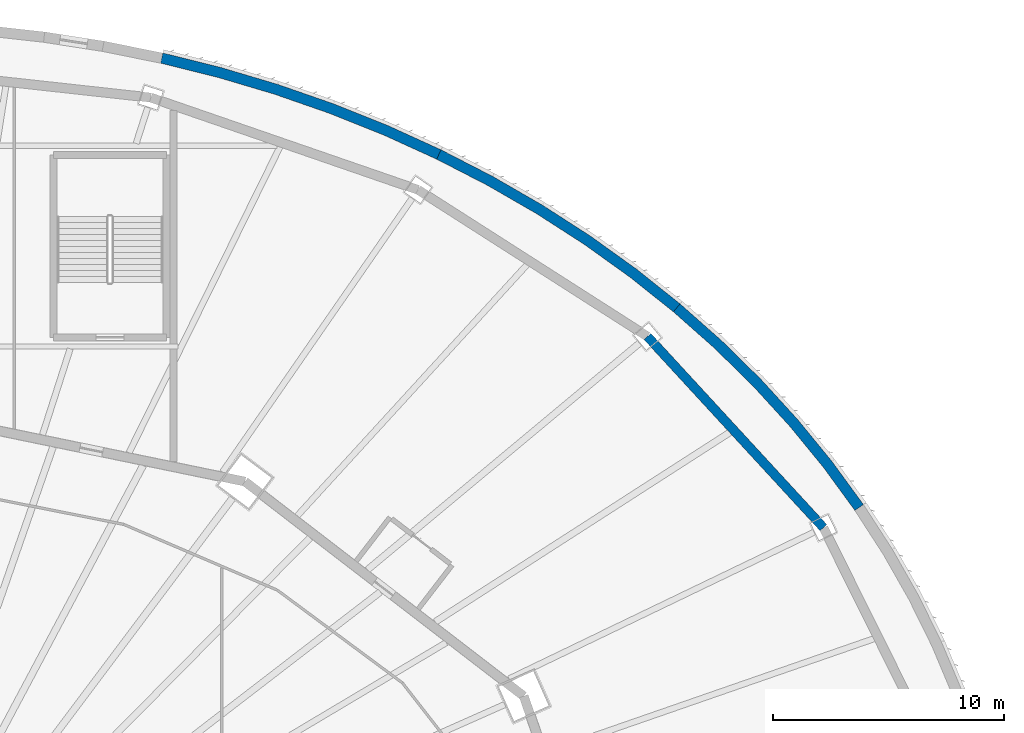
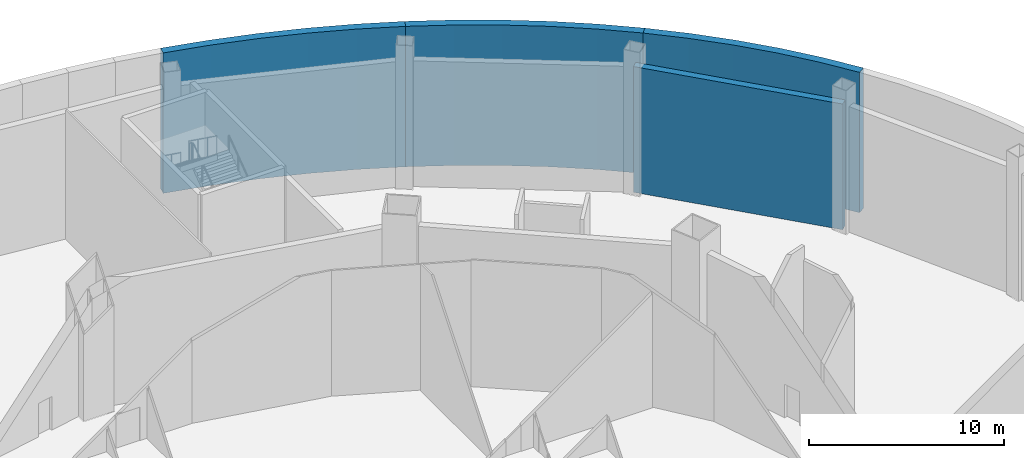
# One storey, part 14 of 35: 4 walls.
"""IFC4 building model written with IfcOpenShell, lengths in metres."""

from ifc_helpers import new_model, si_unit, direction, frame, frame_2d, origin, place, context, subcontext, project, spatial, polyline, rectangle, outline, extrude, material, layer, layer_set, type_object, element, save


model = new_model("IFC4")

# Units and contexts
model_context = context("Model", 3, precision=1e-05, world=origin(), true_north=direction((0.0, 1.0)))
body_context = subcontext(model_context, "Body", "Model", "MODEL_VIEW")
ifc_project = project(units=[si_unit("LENGTHUNIT", "METRE"), si_unit("AREAUNIT", "SQUARE_METRE"), si_unit("VOLUMEUNIT", "CUBIC_METRE"), si_unit("PLANEANGLEUNIT", "RADIAN"), si_unit("MASSUNIT", "GRAM", prefix="KILO")], contexts=[model_context])

# Site, building, storey
site_placement = place(None, origin())
site = spatial("IfcSite", under=ifc_project, at=site_placement, CompositionType="ELEMENT")
building_placement = place(site_placement, origin())
building = spatial("IfcBuilding", under=site, at=building_placement, Name="Sahrelin Media Tower", CompositionType="ELEMENT")
storey_placement = place(building_placement, frame((0.0, 0.0, 17.0)))
storey = spatial("IfcBuildingStorey", under=building, at=storey_placement, Name="L02", CompositionType="ELEMENT", Elevation=17.0)

# Walls
ifc_material_1 = material(Name="Fire-rated gypsum board partition")
ifc_layer_1 = layer(ifc_material_1, 0.39990234375)
ifc_layer_set_1 = layer_set([ifc_layer_1], Name="Fire-rated partition 400")
wall_type_1 = type_object("IfcWallType", Name="Fire-rated partition 400", PredefinedType="PARTITIONING", material=ifc_layer_set_1)
wall_1_placement = place(storey_placement, frame((41.569091796875, 20.0, 0.0), z_axis=(0.0, 0.0, 1.0), x_axis=(-0.67736833065, 0.735644033914, 0.0)))
element("IfcWall", 1, at=wall_1_placement, inside=storey, type_object=wall_type_1, Name="Wall", PredefinedType="PARTITIONING", context=body_context, shape_type="SweptSolid", body=[
    extrude(rectangle(XDim=11.26123046875, YDim=0.39990234375, at=frame_2d((5.630615234375, 0.0))), origin(), (0.0, 0.0, 1.0), 7.876953125),
])
ifc_material_2 = material(Name="Concrete C40/50", Category="concrete")
ifc_layer_2 = layer(ifc_material_2, 0.449951171875)
ifc_layer_set_2 = layer_set([ifc_layer_2], Name="Studio facade wall")
wall_type_2 = type_object("IfcWallType", Name="Studio facade wall", PredefinedType="SOLIDWALL", material=ifc_layer_set_2)
placement = place(storey_placement, origin())
element("IfcWall", 2, at=placement, inside=storey, type_object=wall_type_2, Name="Studio facade wall L02-P02", PredefinedType="SOLIDWALL", context=body_context, shape_type="SweptSolid", body=[
    extrude(outline(polyline([(43.30126953125, 21.0), (41.93359375, 22.874755859375), (40.45068359375, 24.68701171875), (38.857421875, 26.431396484375), (37.1572265625, 28.103515625), (35.355224609375, 29.698486328125), (35.06591796875, 29.35400390625), (36.85009765625, 27.7744140625), (38.533203125, 26.119140625), (40.1103515625, 24.392578125), (41.577392578125, 22.599609375), (42.930419921875, 20.7451171875), (43.30126953125, 21.0)])), origin(), (0.0, 0.0, 1.0), 8.800048828125),
])
element("IfcWall", 3, at=placement, inside=storey, type_object=wall_type_2, Name="Studio facade wall L02-P03", PredefinedType="SOLIDWALL", context=body_context, shape_type="SweptSolid", body=[
    extrude(outline(polyline([(35.355224609375, 29.698486328125), (33.45654296875, 31.212158203125), (31.466064453125, 32.64013671875), (29.389404296875, 33.978759765625), (27.23193359375, 35.22412109375), (25.0, 36.373046875), (24.8037109375, 35.96826171875), (27.0166015625, 34.8291015625), (29.15478515625, 33.594482421875), (31.212890625, 32.26806640625), (33.18505859375, 30.853271484375), (35.06591796875, 29.35400390625), (35.355224609375, 29.698486328125)])), origin(), (0.0, 0.0, 1.0), 8.800048828125),
])
element("IfcWall", 4, at=placement, inside=storey, type_object=wall_type_2, Name="Studio facade wall L02-P04", PredefinedType="SOLIDWALL", context=body_context, shape_type="SweptSolid", body=[
    extrude(outline(polyline([(25.0, 36.373046875), (22.699462890625, 37.42236328125), (20.3369140625, 38.368896484375), (17.91845703125, 39.21044921875), (15.45068359375, 39.9443359375), (12.94091796875, 40.56884765625), (12.84228515625, 40.1298828125), (15.332275390625, 39.51025390625), (17.7802734375, 38.781982421875), (20.17919921875, 37.947509765625), (22.5224609375, 37.008544921875), (24.8037109375, 35.96826171875), (25.0, 36.373046875)])), origin(), (0.0, 0.0, 1.0), 8.800048828125),
])

save(model, "model.ifc")
